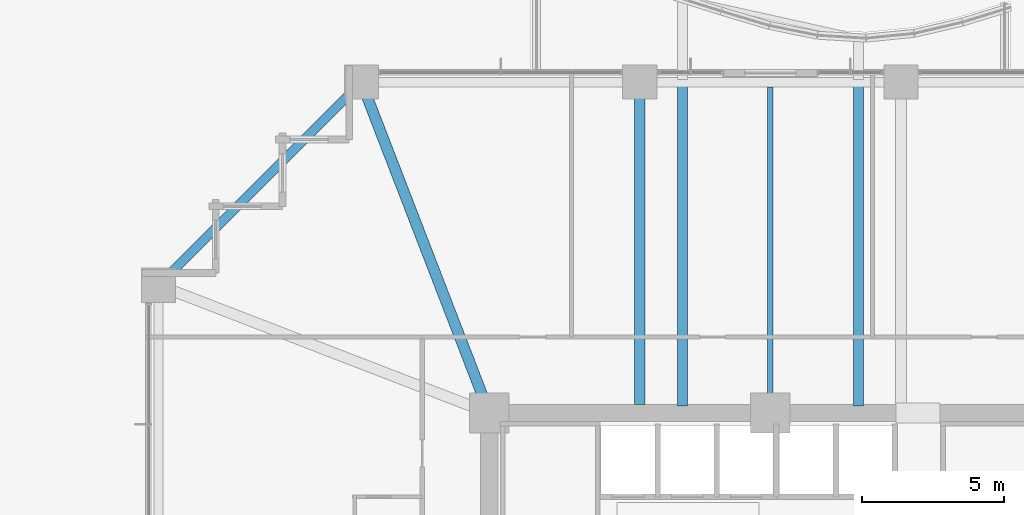
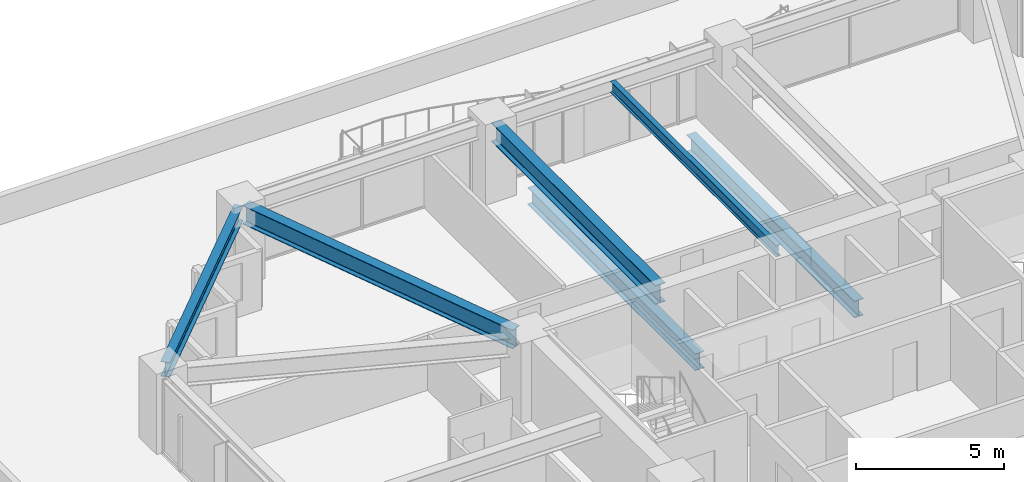
# One storey, part 19 of 36: 6 beams.
"""IFC4 building model written with IfcOpenShell, lengths in metres."""

from ifc_helpers import new_model, si_unit, direction, frame, origin, origin_2d, place, context, subcontext, project, spatial, i_section, extrude, material, material_profile, profile_set, type_object, element, save


model = new_model("IFC4")

# Units and contexts
model_context = context("Model", 3, precision=1e-05, world=origin(), true_north=direction((0.0, 1.0)))
body_context = subcontext(model_context, "Body", "Model", "MODEL_VIEW")
ifc_project = project(units=[si_unit("LENGTHUNIT", "METRE"), si_unit("AREAUNIT", "SQUARE_METRE"), si_unit("VOLUMEUNIT", "CUBIC_METRE"), si_unit("PLANEANGLEUNIT", "RADIAN"), si_unit("MASSUNIT", "GRAM", prefix="KILO")], contexts=[model_context])

# Site, building, storey
site_placement = place(None, origin())
site = spatial("IfcSite", under=ifc_project, at=site_placement, CompositionType="ELEMENT")
building_placement = place(site_placement, origin())
building = spatial("IfcBuilding", under=site, at=building_placement, Name="Kolvaren Belvedere", CompositionType="ELEMENT")
storey_placement = place(building_placement, frame((0.0, 0.0, 23.800048828125)))
storey = spatial("IfcBuildingStorey", under=building, at=storey_placement, Name="L06", CompositionType="ELEMENT", Elevation=23.800048828125)

# Beams
ifc_material_1 = material(Name="Structural steel ASTM A992 Grade 50", Category="steel")
ifc_material_profile_1 = material_profile(ifc_material_1, i_section(OverallWidth=0.35498046875, OverallDepth=0.696044921875, WebThickness=0.015380859375, FlangeThickness=0.02490234375, FilletRadius=0.02197265625, at=origin_2d()), Name="W27X146")
ifc_profile_set_1 = profile_set([ifc_material_profile_1], Name="Structural steel ASTM A992 Grade 50")
beam_type_1 = type_object("IfcBeamType", Name="BM-GIRD-W27X146", PredefinedType="BEAM", material=ifc_profile_set_1)
for number, where, z_axis, x_axis, name in (
    (1, (-3.10009765625, 10.139892578125, -0.588134765625), (0.0, 1.0, 0.0), (-1.0, 0.0, 0.0), "L06 Balcony Interior Back-Span Girder BAL-N-1"),
    (2, (3.10009765625, 10.139892578125, -0.588134765625), (0.0, 1.0, 0.0), (-1.0, 0.0, 0.0), "L06 Balcony Interior Back-Span Girder BAL-N-2"),
):
    element("IfcBeam", number, at=place(storey_placement, frame(where, z_axis=z_axis, x_axis=x_axis)), inside=storey, type_object=beam_type_1, Name=name, PredefinedType="BEAM", context=body_context, shape_type="SweptSolid", body=[
        extrude(i_section(OverallWidth=0.35498046875, OverallDepth=0.696044921875, WebThickness=0.015380859375, FlangeThickness=0.02490234375, FilletRadius=0.02197265625, at=origin_2d()), origin(), (0.0, 0.0, 1.0), 11.315185546875),
    ])
ifc_material_2 = material(Name="Structural steel ASTM A992 Grade 50", Category="steel")
ifc_material_profile_2 = material_profile(ifc_material_2, i_section(OverallWidth=0.381103515625, OverallDepth=0.77294921875, WebThickness=0.0166015625, FlangeThickness=0.027099609375, FilletRadius=0.02392578125, at=origin_2d()), Name="W30X173")
ifc_profile_set_2 = profile_set([ifc_material_profile_2], Name="Structural steel ASTM A992 Grade 50")
beam_type_2 = type_object("IfcBeamType", Name="BM-GIRD-W30X173", PredefinedType="BEAM", material=ifc_profile_set_2)
beam_1_placement = place(storey_placement, frame((-4.60009765625, 10.199951171875, 2.67333984375), z_axis=(0.0, 1.0, 0.0), x_axis=(-1.0, 0.0, 0.0)))
element("IfcBeam", 3, at=beam_1_placement, inside=storey, type_object=beam_type_2, Name="L06 North Radial Girder M", PredefinedType="BEAM", context=body_context, shape_type="SweptSolid", body=[
    extrude(i_section(OverallWidth=0.381103515625, OverallDepth=0.77294921875, WebThickness=0.0166015625, FlangeThickness=0.027099609375, FilletRadius=0.02392578125, at=origin_2d()), origin(), (0.0, 0.0, 1.0), 11.080078125),
])
beam_2_placement = place(storey_placement, frame((-10.09814453125, 10.4130859375, 2.67333984375), z_axis=(-0.360318391835, 0.932829382313, 0.0), x_axis=(-0.932829382313, -0.360318391835, 0.0)))
element("IfcBeam", 4, at=beam_2_placement, inside=storey, type_object=beam_type_2, Name="L06 Corner Core-to-Perimeter Girder CC4-N1", PredefinedType="BEAM", context=body_context, shape_type="SweptSolid", body=[
    extrude(i_section(OverallWidth=0.381103515625, OverallDepth=0.77294921875, WebThickness=0.0166015625, FlangeThickness=0.027099609375, FilletRadius=0.02392578125, at=origin_2d()), origin(), (0.0, 0.0, 1.0), 11.698974609375),
])
ifc_material_3 = material(Name="Structural steel ASTM A992 Grade 50", Category="steel")
ifc_material_profile_3 = material_profile(ifc_material_3, i_section(OverallWidth=0.19091796875, OverallDepth=0.4599609375, WebThickness=0.010009765625, FlangeThickness=0.01611328125, FilletRadius=0.014892578125, at=origin_2d()), Name="W18X55")
ifc_profile_set_3 = profile_set([ifc_material_profile_3], Name="Structural steel ASTM A992 Grade 50")
beam_type_3 = type_object("IfcBeamType", Name="BM-JOIST-W18X55", PredefinedType="BEAM", material=ifc_profile_set_3)
beam_3_placement = place(storey_placement, frame((0.0, 10.199951171875, 2.829833984375), z_axis=(0.0, 1.0, 0.0), x_axis=(-1.0, 0.0, 0.0)))
element("IfcBeam", 5, at=beam_3_placement, inside=storey, type_object=beam_type_3, Name="L06 North Centre Floor Beam", PredefinedType="BEAM", context=body_context, shape_type="SweptSolid", body=[
    extrude(i_section(OverallWidth=0.19091796875, OverallDepth=0.4599609375, WebThickness=0.010009765625, FlangeThickness=0.01611328125, FilletRadius=0.014892578125, at=origin_2d()), origin(), (0.0, 0.0, 1.0), 11.1875),
])
ifc_material_4 = material(Name="Structural steel ASTM A992 Grade 50", Category="steel")
ifc_material_profile_4 = material_profile(ifc_material_4, i_section(OverallWidth=0.324951171875, OverallDepth=0.615966796875, WebThickness=0.013916015625, FlangeThickness=0.021484375, FilletRadius=0.02001953125, at=origin_2d()), Name="W24X117")
ifc_profile_set_4 = profile_set([ifc_material_profile_4], Name="Structural steel ASTM A992 Grade 50")
beam_type_4 = type_object("IfcBeamType", Name="BM-SPAN-W24X117", PredefinedType="SPANDREL", material=ifc_profile_set_4)
beam_4_placement = place(storey_placement, frame((-14.5908203125, 21.359130859375, 2.751953125), z_axis=(-0.707106781187, -0.707106781187, 0.0), x_axis=(0.707106781187, -0.707106781187, 0.0)))
element("IfcBeam", 6, at=beam_4_placement, inside=storey, type_object=beam_type_4, Name="L06 Perimeter Spandrel N1-W4", PredefinedType="SPANDREL", context=body_context, shape_type="SweptSolid", body=[
    extrude(i_section(OverallWidth=0.324951171875, OverallDepth=0.615966796875, WebThickness=0.013916015625, FlangeThickness=0.021484375, FilletRadius=0.02001953125, at=origin_2d()), origin(), (0.0, 0.0, 1.0), 9.57177734375),
])

save(model, "model.ifc")
